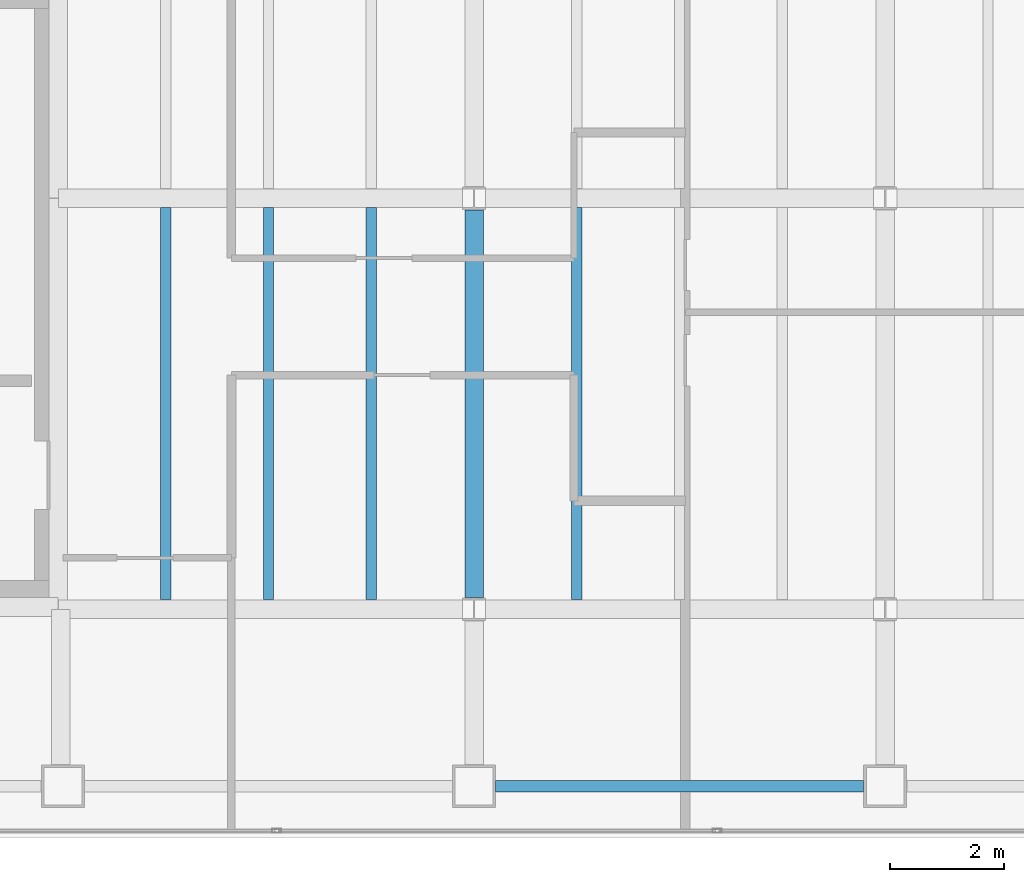
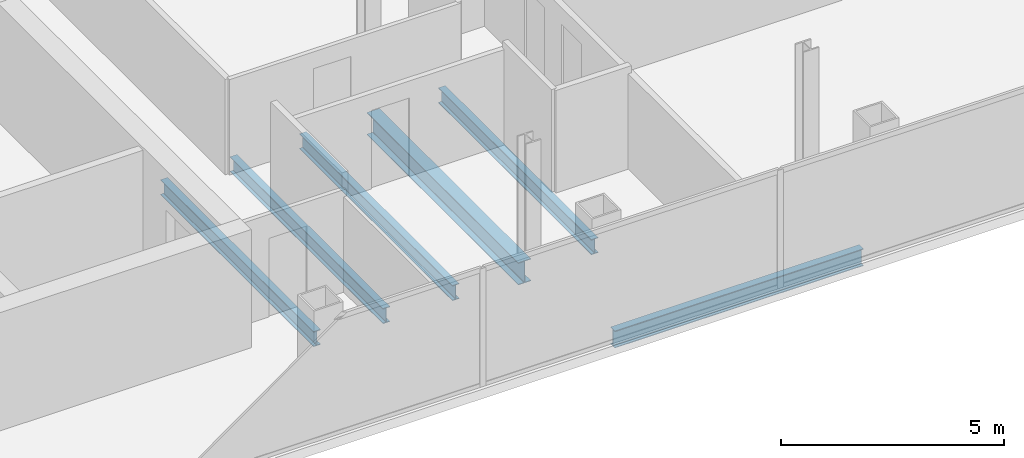
# One storey, part 5 of 23: 6 beams.
"""IFC4 building model written with IfcOpenShell, lengths in metres."""

from ifc_helpers import new_model, si_unit, direction, frame, origin, origin_2d, place, context, subcontext, project, spatial, i_section, extrude, material, material_profile, profile_set, type_object, element, save


model = new_model("IFC4")

# Units and contexts
model_context = context("Model", 3, precision=1e-05, world=origin(), true_north=direction((0.0, 1.0)))
body_context = subcontext(model_context, "Body", "Model", "MODEL_VIEW")
ifc_project = project(units=[si_unit("LENGTHUNIT", "METRE"), si_unit("AREAUNIT", "SQUARE_METRE"), si_unit("VOLUMEUNIT", "CUBIC_METRE"), si_unit("PLANEANGLEUNIT", "RADIAN"), si_unit("MASSUNIT", "GRAM", prefix="KILO")], contexts=[model_context])

# Site, building, storey
site_placement = place(None, origin())
site = spatial("IfcSite", under=ifc_project, at=site_placement, CompositionType="ELEMENT")
building_placement = place(site_placement, origin())
building = spatial("IfcBuilding", under=site, at=building_placement, Name="Cobrela Telecom Tower", CompositionType="ELEMENT")
storey_placement = place(building_placement, frame((0.0, 0.0, 204.75)))
storey = spatial("IfcBuildingStorey", under=building, at=storey_placement, Name="L52", CompositionType="ELEMENT", Elevation=204.75)

# Beams
ifc_material = material(Name="Steel ASTM A992 Grade 50", Category="steel")
ifc_material_profile_1 = material_profile(ifc_material, i_section(OverallWidth=0.324951171875, OverallDepth=0.612060546875, WebThickness=0.0126953125, FlangeThickness=0.01904296875, FilletRadius=0.014892578125, at=origin_2d()), Name="W24X104")
ifc_profile_set_1 = profile_set([ifc_material_profile_1], Name="Steel ASTM A992 Grade 50")
beam_type_1 = type_object("IfcBeamType", Name="BM-GIRD-07", PredefinedType="USERDEFINED", material=ifc_profile_set_1)
beam_1_placement = place(storey_placement, frame((21.60009765625, 7.404541015625, -0.56591796875), z_axis=(0.0, 1.0, 0.0), x_axis=(-1.0, 0.0, 0.0)))
element("IfcBeam", 1, at=beam_1_placement, inside=storey, type_object=beam_type_1, Name="L52 Primary Girder Y33", ObjectType="GIRDER", PredefinedType="USERDEFINED", context=body_context, shape_type="SweptSolid", body=[
    extrude(i_section(OverallWidth=0.324951171875, OverallDepth=0.612060546875, WebThickness=0.0126953125, FlangeThickness=0.01904296875, FilletRadius=0.014892578125, at=origin_2d()), origin(), (0.0, 0.0, 1.0), 6.791015625),
])
ifc_material_profile_2 = material_profile(ifc_material, i_section(OverallWidth=0.179931640625, OverallDepth=0.4169921875, WebThickness=0.010986328125, FlangeThickness=0.01806640625, FilletRadius=0.011962890625, at=origin_2d()), Name="W16X57")
ifc_profile_set_2 = profile_set([ifc_material_profile_2], Name="Steel ASTM A992 Grade 50")
beam_type_2 = type_object("IfcBeamType", Name="BM-JOIST-04", PredefinedType="JOIST", material=ifc_profile_set_2)
for number, where, z_axis, x_axis, name in (
    (2, (16.199951171875, 7.367431640625, -0.468505859375), (0.0, 1.0, 0.0), (-1.0, 0.0, 0.0), "L52 Secondary Composite Floor Beam J01"),
    (3, (18.0, 7.367431640625, -0.468505859375), (0.0, 1.0, 0.0), (-1.0, 0.0, 0.0), "L52 Secondary Composite Floor Beam J05"),
    (4, (19.800048828125, 7.367431640625, -0.468505859375), (0.0, 1.0, 0.0), (-1.0, 0.0, 0.0), "L52 Secondary Composite Floor Beam J09"),
    (5, (23.39990234375, 7.367431640625, -0.468505859375), (0.0, 1.0, 0.0), (-1.0, 0.0, 0.0), "L52 Secondary Composite Floor Beam J13"),
):
    element("IfcBeam", number, at=place(storey_placement, frame(where, z_axis=z_axis, x_axis=x_axis)), inside=storey, type_object=beam_type_2, Name=name, PredefinedType="JOIST", context=body_context, shape_type="SweptSolid", body=[
        extrude(i_section(OverallWidth=0.179931640625, OverallDepth=0.4169921875, WebThickness=0.010986328125, FlangeThickness=0.01806640625, FilletRadius=0.011962890625, at=origin_2d()), origin(), (0.0, 0.0, 1.0), 6.864990234375),
    ])
ifc_material_profile_3 = material_profile(ifc_material, i_section(OverallWidth=0.193115234375, OverallDepth=0.467041015625, WebThickness=0.011474609375, FlangeThickness=0.01904296875, FilletRadius=0.012939453125, at=origin_2d()), Name="W18X65")
ifc_profile_set_3 = profile_set([ifc_material_profile_3], Name="Steel ASTM A992 Grade 50")
beam_type_3 = type_object("IfcBeamType", Name="BM-SPAND-05", PredefinedType="SPANDREL", material=ifc_profile_set_3)
beam_2_placement = place(storey_placement, frame((21.97998046875, 4.10009765625, -0.493408203125), z_axis=(1.0, 0.0, 0.0), x_axis=(0.0, 1.0, 0.0)))
element("IfcBeam", 6, at=beam_2_placement, inside=storey, type_object=beam_type_3, Name="L52 Perimeter Spandrel X03", PredefinedType="SPANDREL", context=body_context, shape_type="SweptSolid", body=[
    extrude(i_section(OverallWidth=0.193115234375, OverallDepth=0.467041015625, WebThickness=0.011474609375, FlangeThickness=0.01904296875, FilletRadius=0.012939453125, at=origin_2d()), origin(), (0.0, 0.0, 1.0), 6.43994140625),
])

save(model, "model.ifc")
